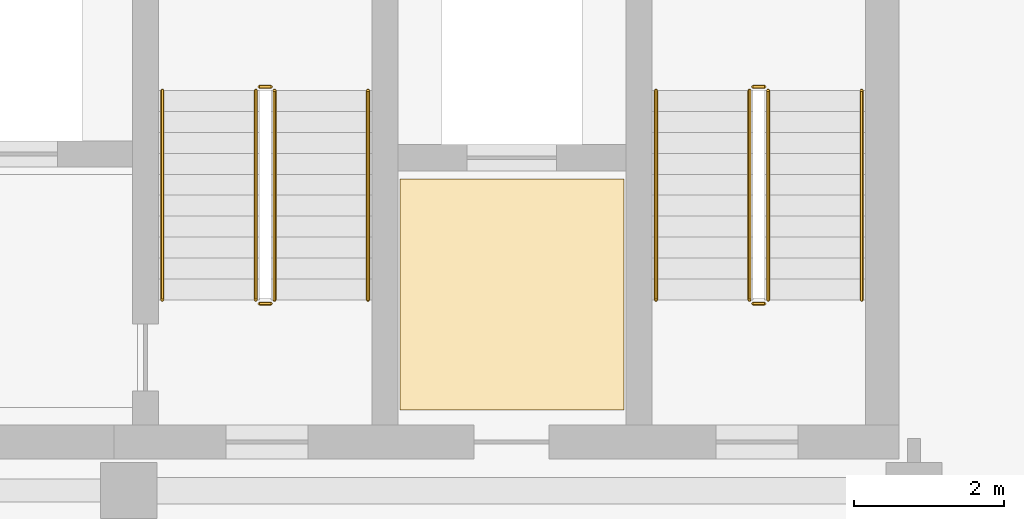
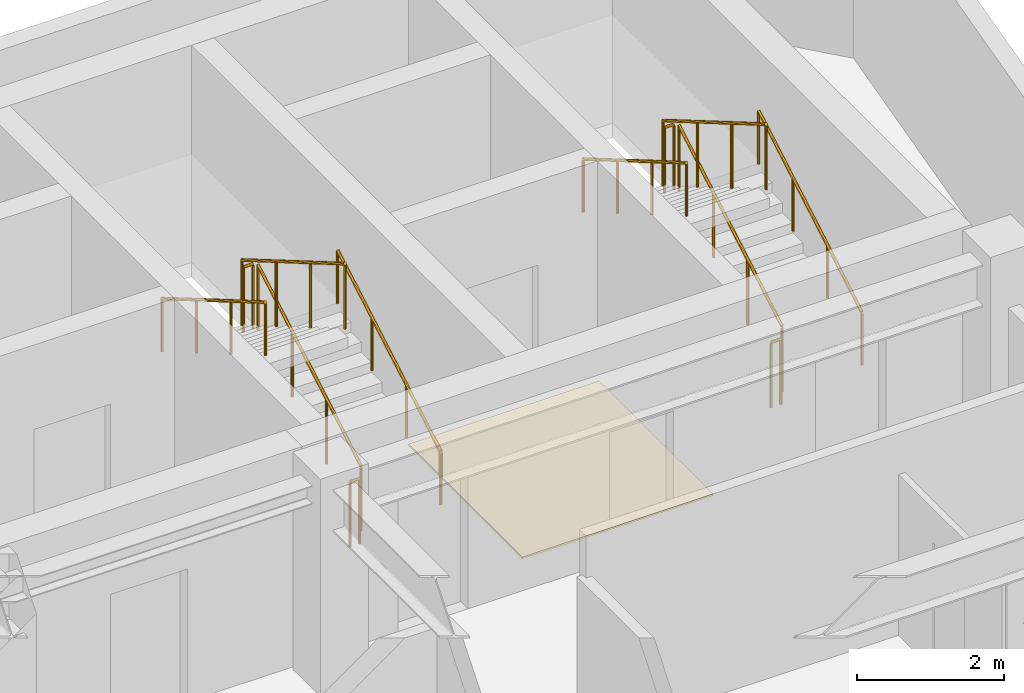
# One storey, part 20 of 20: 12 railings, 1 covering.
"""IFC4 building model written with IfcOpenShell, lengths in metres."""

import ifcopenshell
import ifcopenshell.guid

model = None  # the IFC model being written
_history = None  # IfcOwnerHistory: only IFC2X3 demands one
_inside = {}  # id of a spatial element -> (the spatial element, [elements in it])
_under = {}  # id of a project, library or spatial element -> (it, [spatial elements below it])
_declared = {}  # id of a project -> (the project, [libraries it declares])
_typed = {}  # id of a type object -> (the type object, [elements of that type])
_made_of = {}  # id of a material, layer set ... -> (it, [elements and type objects made of it])


def new_model(schema):
    """Start an empty IFC model of exactly this schema.

    Asked for "IFC4X3", IfcOpenShell would pick the latest addendum, in which some entities
    have other attributes; the version numbers below select the first issue.
    IFC2X3 requires an IfcOwnerHistory on every rooted entity: one is made here for all.
    """
    global model, _history
    if schema == "IFC4X3":
        model = ifcopenshell.file(schema_version=(4, 3, 0, 0))
    else:
        model = ifcopenshell.file(schema=schema)
    _inside.clear()
    _under.clear()
    _declared.clear()
    _typed.clear()
    _made_of.clear()
    _history = None
    if model.schema == "IFC2X3":
        org = make("IfcOrganization", Name="unknown")
        user = make(
            "IfcPersonAndOrganization",
            ThePerson=make("IfcPerson", FamilyName="unknown"),
            TheOrganization=org,
        )
        app = make(
            "IfcApplication",
            ApplicationDeveloper=org,
            Version="unknown",
            ApplicationFullName="unknown",
            ApplicationIdentifier="unknown",
        )
        _history = make(
            "IfcOwnerHistory",
            OwningUser=user,
            OwningApplication=app,
            ChangeAction="ADDED",
            CreationDate=0,
        )
    return model


def make(cls, **values):
    """One entity of the class cls with the attributes given. An attribute that is None is left unset."""
    return model.create_entity(
        cls, **{name: value for name, value in values.items() if value is not None}
    )


def rooted(cls, **values):
    """An entity with a GlobalId (a new one), such as an element, a storey or a relation."""
    return make(cls, GlobalId=ifcopenshell.guid.new(), OwnerHistory=_history, **values)


def si_unit(unit_type, name, prefix=None):
    """IfcSIUnit, for example si_unit("LENGTHUNIT", "METRE", prefix="MILLI")."""
    return make("IfcSIUnit", UnitType=unit_type, Prefix=prefix, Name=name)


def assignment(units):
    """IfcUnitAssignment: the units of a project."""
    return None if units is None else make("IfcUnitAssignment", Units=units)


def point(xyz):
    """IfcCartesianPoint."""
    return None if xyz is None else make("IfcCartesianPoint", Coordinates=xyz)


def direction(xyz):
    """IfcDirection."""
    return None if xyz is None else make("IfcDirection", DirectionRatios=xyz)


def frame(location, z_axis=None, x_axis=None):
    """IfcAxis2Placement3D, a coordinate frame: its origin and axes. An axis left out is left unset."""
    return make(
        "IfcAxis2Placement3D",
        Location=point(location),
        Axis=direction(z_axis),
        RefDirection=direction(x_axis),
    )


def frame_2d(location, x_axis=None):
    """IfcAxis2Placement2D, a coordinate frame in the plane: its origin and x axis."""
    return make(
        "IfcAxis2Placement2D", Location=point(location), RefDirection=direction(x_axis)
    )


def origin():
    """The frame at (0, 0, 0) with its axes left unset."""
    return frame((0.0, 0.0, 0.0))


def origin_2d():
    """The frame at (0, 0) in the plane with its x axis left unset."""
    return frame_2d((0.0, 0.0))


def place(relative_to, where):
    """IfcLocalPlacement: puts the frame where relative to a parent placement (None: the world)."""
    return make(
        "IfcLocalPlacement", PlacementRelTo=relative_to, RelativePlacement=where
    )


def context(
    kind, dimensions, precision=None, world=None, true_north=None, identifier=None
):
    """IfcGeometricRepresentationContext, for example the 3D "Model" context."""
    return make(
        "IfcGeometricRepresentationContext",
        ContextIdentifier=identifier,
        ContextType=kind,
        CoordinateSpaceDimension=dimensions,
        Precision=precision,
        WorldCoordinateSystem=world,
        TrueNorth=true_north,
    )


def subcontext(parent, identifier, kind, view, scale=None):
    """IfcGeometricRepresentationSubContext, for example "Body" below "Model"."""
    return make(
        "IfcGeometricRepresentationSubContext",
        ContextIdentifier=identifier,
        ContextType=kind,
        ParentContext=parent,
        TargetScale=scale,
        TargetView=view,
    )


def project(units=None, contexts=None):
    """IfcProject with its units and contexts."""
    return rooted(
        "IfcProject",
        Name="project",
        RepresentationContexts=contexts,
        UnitsInContext=assignment(units),
    )


def spatial(cls, under=None, at=None, **own):
    """A site, building, storey or space (cls), placed at a placement, below another one or the project."""
    s = rooted(cls, ObjectPlacement=at, **own)
    if under is not None:
        _under.setdefault(under.id(), (under, []))[1].append(s)
    return s


def polyline(points):
    """IfcPolyline through the points."""
    return make("IfcPolyline", Points=[point(p) for p in points])


def profile(cls, at=None, kind="AREA", **sizes):
    """A parametric profile (cls). Its sizes go by their IFC names, for example OverallWidth=200.0."""
    return make(cls, ProfileType=kind, Position=at, **sizes)


def circle(**sizes):
    """IfcCircleProfileDef."""
    return profile("IfcCircleProfileDef", **sizes)


def outline(outer, holes=None, kind="AREA"):
    """IfcArbitraryClosedProfileDef: a profile drawn as a closed curve; with holes, ...WithVoids."""
    if holes is None:
        return make("IfcArbitraryClosedProfileDef", ProfileType=kind, OuterCurve=outer)
    return make(
        "IfcArbitraryProfileDefWithVoids",
        ProfileType=kind,
        OuterCurve=outer,
        InnerCurves=holes,
    )


def extrude(swept, where, along, depth):
    """IfcExtrudedAreaSolid: the profile swept, set in the frame where, extruded along a direction by depth."""
    return make(
        "IfcExtrudedAreaSolid",
        SweptArea=swept,
        Position=where,
        ExtrudedDirection=direction(along),
        Depth=depth,
    )


def shape(context_of_items, identifier, shape_type, items):
    """IfcShapeRepresentation: the items that make up one representation, for example the "Body"."""
    return make(
        "IfcShapeRepresentation",
        ContextOfItems=context_of_items,
        RepresentationIdentifier=identifier,
        RepresentationType=shape_type,
        Items=items,
    )


def material(Name=None, Category=None):
    """IfcMaterial."""
    return make("IfcMaterial", Name=Name, Category=Category)


def layer(
    of_material, thickness, ventilated=None, Name=None, Category=None, Priority=None
):
    """IfcMaterialLayer: one layer of a wall or slab, of a material (None: an air gap)."""
    return make(
        "IfcMaterialLayer",
        Material=of_material,
        LayerThickness=thickness,
        IsVentilated=ventilated,
        Name=Name,
        Category=Category,
        Priority=Priority,
    )


def layer_set(layers, Name=None):
    """IfcMaterialLayerSet."""
    return make("IfcMaterialLayerSet", MaterialLayers=layers, LayerSetName=Name)


def made_of(thing, what):
    """Note that an element or type object is made of a material, layer set ...; save() writes the relation."""
    if what is not None:
        _made_of.setdefault(what.id(), (what, []))[1].append(thing)
    return thing


def type_object(cls, material=None, **own):
    """A type object (cls), such as IfcWallType, which elements share."""
    return made_of(rooted(cls, **own), material)


def element(
    cls,
    number,
    at=None,
    inside=None,
    cuts=None,
    type_object=None,
    material=None,
    context=None,
    identifier="Body",
    shape_type=None,
    held_by="IfcProductDefinitionShape",
    body=None,
    shapes=None,
    **own,
):
    """One element of the class cls, such as IfcWall. Its Tag is "e" and its number.

    at: its placement. inside: the storey or other place that contains it. cuts: it is an
    opening in that element (IfcRelVoidsElement). A single representation is given by context,
    identifier, shape_type and body (its items); several are given by shapes. held_by: the class
    of the entity that holds the representations. save() writes the other relations.
    """
    e = rooted(cls, Tag="e%d" % number, ObjectPlacement=at, **own)
    if body is not None:
        shapes = [shape(context, identifier, shape_type, body)]
    if shapes is not None:
        e.Representation = make(held_by, Representations=shapes)
    if inside is not None:
        _inside.setdefault(inside.id(), (inside, []))[1].append(e)
    if cuts is not None:
        rooted(
            "IfcRelVoidsElement", RelatingBuildingElement=cuts, RelatedOpeningElement=e
        )
    if type_object is not None:
        _typed.setdefault(type_object.id(), (type_object, []))[1].append(e)
    return made_of(e, material)


def aggregate(whole, parts):
    """IfcRelAggregates: a whole, such as a stair, and the parts it consists of."""
    return rooted("IfcRelAggregates", RelatingObject=whole, RelatedObjects=parts)


def save(model, path):
    """Write the relations noted so far, then the file.

    IfcRelAggregates (storeys below a building ...), IfcRelContainedInSpatialStructure (elements
    in a storey), IfcRelDefinesByType, IfcRelAssociatesMaterial and IfcRelDeclares: one each for
    every whole, place, type object, material and project.
    """
    for whole, parts in _under.values():
        aggregate(whole, parts)
    for where, things in _inside.values():
        rooted(
            "IfcRelContainedInSpatialStructure",
            RelatedElements=things,
            RelatingStructure=where,
        )
    for kind, things in _typed.values():
        rooted("IfcRelDefinesByType", RelatedObjects=things, RelatingType=kind)
    for what, things in _made_of.values():
        rooted("IfcRelAssociatesMaterial", RelatedObjects=things, RelatingMaterial=what)
    for by, libraries in _declared.values():
        rooted("IfcRelDeclares", RelatingContext=by, RelatedDefinitions=libraries)
    model.write(path)


model = new_model("IFC4")

# Units and contexts
model_context = context("Model", 3, precision=1e-05, world=origin(), true_north=direction((0.0, 1.0)))
body_context = subcontext(model_context, "Body", "Model", "MODEL_VIEW")
ifc_project = project(units=[si_unit("LENGTHUNIT", "METRE"), si_unit("AREAUNIT", "SQUARE_METRE"), si_unit("VOLUMEUNIT", "CUBIC_METRE"), si_unit("PLANEANGLEUNIT", "RADIAN"), si_unit("MASSUNIT", "GRAM", prefix="KILO")], contexts=[model_context])

# Site, building, storey
site_placement = place(None, origin())
site = spatial("IfcSite", under=ifc_project, at=site_placement, CompositionType="ELEMENT")
building_placement = place(site_placement, origin())
building = spatial("IfcBuilding", under=site, at=building_placement, Name="Kravanh Interchange Tower", CompositionType="ELEMENT")
storey_placement = place(building_placement, frame((0.0, 0.0, 245.39990234375)))
storey = spatial("IfcBuildingStorey", under=building, at=storey_placement, Name="L59", CompositionType="ELEMENT", Elevation=245.39990234375)

# Covering
ifc_material_1 = material(Name="Cementitious Terrazzo Tile")
ifc_layer_1 = layer(ifc_material_1, 0.030029296875)
ifc_layer_set_1 = layer_set([ifc_layer_1], Name="Honed Terrazzo Lobby Flooring 30mm")
covering_type = type_object("IfcCoveringType", Name="Honed Terrazzo Lobby Flooring 30mm", PredefinedType="FLOORING", material=ifc_layer_set_1)
covering_placement = place(storey_placement, origin())
element("IfcCovering", 1, at=covering_placement, inside=storey, type_object=covering_type, Name="L59 Service Lift Lobby Floor Finish", PredefinedType="FLOORING", context=body_context, shape_type="SweptSolid", body=[
    extrude(outline(polyline([(59.6298828125, 41.52001953125), (62.6201171875, 41.52001953125), (62.6201171875, 38.429931640625), (59.6298828125, 38.429931640625), (59.6298828125, 41.52001953125)])), origin(), (0.0, 0.0, 1.0), 0.030029296875),
])

# Railings
ifc_material_2 = material(Name="Structural Steel S355", Category="steel")
ifc_layer_2 = layer(ifc_material_2, 0.050048828125)
ifc_layer_set_2 = layer_set([ifc_layer_2], Name="Stair Well Guardrail Structural Steel S355 1100mm")
railing_type_1 = type_object("IfcRailingType", Name="Stair Well Guardrail Structural Steel S355 1100mm", PredefinedType="GUARDRAIL", material=ifc_layer_set_2)
railing_1_placement = place(storey_placement, frame((64.550048828125, 39.89990234375, 0.163818359375)))
element("IfcRailing", 2, at=railing_1_placement, inside=storey, type_object=railing_type_1, Name="L59 ST1 stair guard 1", PredefinedType="GUARDRAIL", context=body_context, shape_type="SweptSolid", body=[
    extrude(circle(Radius=0.02392578125, at=origin_2d()), frame((0.0, 0.0, 1.076171875), z_axis=(0.0, 0.863393664356, 0.504530851732), x_axis=(-1.0, 0.0, 0.0)), (0.0, 0.0, 1.0), 3.2431640625),
    extrude(circle(Radius=0.02099609375, at=origin_2d()), origin(), (0.0, 0.0, 1.0), 1.052001953125),
    extrude(circle(Radius=0.02099609375, at=origin_2d()), frame((0.0, 0.933349609375, 0.54541015625)), (0.0, 0.0, 1.0), 1.052001953125),
    extrude(circle(Radius=0.02099609375, at=origin_2d()), frame((0.0, 1.86669921875, 1.0908203125)), (0.0, 0.0, 1.0), 1.052001953125),
    extrude(circle(Radius=0.02099609375, at=origin_2d()), frame((0.0, 2.800048828125, 1.63623046875)), (0.0, 0.0, 1.0), 1.052001953125),
])
railing_2_placement = place(storey_placement, frame((64.5, 42.75, 1.800048828125)))
element("IfcRailing", 3, at=railing_2_placement, inside=storey, type_object=railing_type_1, Name="L59 ST1 stair guard 2", PredefinedType="GUARDRAIL", context=body_context, shape_type="SweptSolid", body=[
    extrude(circle(Radius=0.02392578125, at=origin_2d()), frame((0.0, 0.0, 1.076171875), z_axis=(-1.0, 0.0, 0.0), x_axis=(0.0, -1.0, 0.0)), (0.0, 0.0, 1.0), 0.14990234375),
    extrude(circle(Radius=0.02099609375, at=origin_2d()), origin(), (0.0, 0.0, 1.0), 1.052001953125),
    extrude(circle(Radius=0.02099609375, at=origin_2d()), frame((-0.14990234375, 0.0, 0.0)), (0.0, 0.0, 1.0), 1.052001953125),
])
railing_3_placement = place(storey_placement, frame((64.300048828125, 42.699951171875, 1.963623046875)))
element("IfcRailing", 4, at=railing_3_placement, inside=storey, type_object=railing_type_1, Name="L59 ST1 stair guard 3", PredefinedType="GUARDRAIL", context=body_context, shape_type="SweptSolid", body=[
    extrude(circle(Radius=0.02392578125, at=origin_2d()), frame((0.0, 0.0, 1.076171875), z_axis=(0.0, -0.863360870873, 0.504586966384), x_axis=(1.0, 0.0, 0.0)), (0.0, 0.0, 1.0), 3.2431640625),
    extrude(circle(Radius=0.02099609375, at=origin_2d()), origin(), (0.0, 0.0, 1.0), 1.052001953125),
    extrude(circle(Radius=0.02099609375, at=origin_2d()), frame((0.0, -0.933349609375, 0.54541015625)), (0.0, 0.0, 1.0), 1.052001953125),
    extrude(circle(Radius=0.02099609375, at=origin_2d()), frame((0.0, -1.86669921875, 1.091064453125)), (0.0, 0.0, 1.0), 1.052001953125),
    extrude(circle(Radius=0.02099609375, at=origin_2d()), frame((0.0, -2.800048828125, 1.636474609375)), (0.0, 0.0, 1.0), 1.052001953125),
])
railing_4_placement = place(storey_placement, frame((64.5, 39.85009765625, 0.0)))
element("IfcRailing", 5, at=railing_4_placement, inside=storey, type_object=railing_type_1, Name="L59 ST1 stair guard 4", PredefinedType="GUARDRAIL", context=body_context, shape_type="SweptSolid", body=[
    extrude(circle(Radius=0.02392578125, at=origin_2d()), frame((0.0, 0.0, 1.076171875), z_axis=(-1.0, 0.0, 0.0), x_axis=(0.0, -1.0, 0.0)), (0.0, 0.0, 1.0), 0.14990234375),
    extrude(circle(Radius=0.02099609375, at=origin_2d()), origin(), (0.0, 0.0, 1.0), 1.052001953125),
    extrude(circle(Radius=0.02099609375, at=origin_2d()), frame((-0.14990234375, 0.0, 0.0)), (0.0, 0.0, 1.0), 1.052001953125),
])
railing_5_placement = place(storey_placement, frame((57.949951171875, 39.89990234375, 0.163818359375)))
element("IfcRailing", 6, at=railing_5_placement, inside=storey, type_object=railing_type_1, Name="L59 ST2 stair guard 1", PredefinedType="GUARDRAIL", context=body_context, shape_type="SweptSolid", body=[
    extrude(circle(Radius=0.02392578125, at=origin_2d()), frame((0.0, 0.0, 1.076171875), z_axis=(0.0, 0.863393664356, 0.504530851732), x_axis=(-1.0, 0.0, 0.0)), (0.0, 0.0, 1.0), 3.2431640625),
    extrude(circle(Radius=0.02099609375, at=origin_2d()), origin(), (0.0, 0.0, 1.0), 1.052001953125),
    extrude(circle(Radius=0.02099609375, at=origin_2d()), frame((0.0, 0.933349609375, 0.54541015625)), (0.0, 0.0, 1.0), 1.052001953125),
    extrude(circle(Radius=0.02099609375, at=origin_2d()), frame((0.0, 1.86669921875, 1.0908203125)), (0.0, 0.0, 1.0), 1.052001953125),
    extrude(circle(Radius=0.02099609375, at=origin_2d()), frame((0.0, 2.800048828125, 1.63623046875)), (0.0, 0.0, 1.0), 1.052001953125),
])
railing_6_placement = place(storey_placement, frame((57.89990234375, 42.75, 1.800048828125)))
element("IfcRailing", 7, at=railing_6_placement, inside=storey, type_object=railing_type_1, Name="L59 ST2 stair guard 2", PredefinedType="GUARDRAIL", context=body_context, shape_type="SweptSolid", body=[
    extrude(circle(Radius=0.02392578125, at=origin_2d()), frame((0.0, 0.0, 1.076171875), z_axis=(-1.0, 0.0, 0.0), x_axis=(0.0, -1.0, 0.0)), (0.0, 0.0, 1.0), 0.14990234375),
    extrude(circle(Radius=0.02099609375, at=origin_2d()), origin(), (0.0, 0.0, 1.0), 1.052001953125),
    extrude(circle(Radius=0.02099609375, at=origin_2d()), frame((-0.14990234375, 0.0, 0.0)), (0.0, 0.0, 1.0), 1.052001953125),
])
railing_7_placement = place(storey_placement, frame((57.699951171875, 42.699951171875, 1.963623046875)))
element("IfcRailing", 8, at=railing_7_placement, inside=storey, type_object=railing_type_1, Name="L59 ST2 stair guard 3", PredefinedType="GUARDRAIL", context=body_context, shape_type="SweptSolid", body=[
    extrude(circle(Radius=0.02392578125, at=origin_2d()), frame((0.0, 0.0, 1.076171875), z_axis=(0.0, -0.863360870873, 0.504586966384), x_axis=(1.0, 0.0, 0.0)), (0.0, 0.0, 1.0), 3.2431640625),
    extrude(circle(Radius=0.02099609375, at=origin_2d()), origin(), (0.0, 0.0, 1.0), 1.052001953125),
    extrude(circle(Radius=0.02099609375, at=origin_2d()), frame((0.0, -0.933349609375, 0.54541015625)), (0.0, 0.0, 1.0), 1.052001953125),
    extrude(circle(Radius=0.02099609375, at=origin_2d()), frame((0.0, -1.86669921875, 1.091064453125)), (0.0, 0.0, 1.0), 1.052001953125),
    extrude(circle(Radius=0.02099609375, at=origin_2d()), frame((0.0, -2.800048828125, 1.636474609375)), (0.0, 0.0, 1.0), 1.052001953125),
])
railing_8_placement = place(storey_placement, frame((57.89990234375, 39.85009765625, 0.0)))
element("IfcRailing", 9, at=railing_8_placement, inside=storey, type_object=railing_type_1, Name="L59 ST2 stair guard 4", PredefinedType="GUARDRAIL", context=body_context, shape_type="SweptSolid", body=[
    extrude(circle(Radius=0.02392578125, at=origin_2d()), frame((0.0, 0.0, 1.076171875), z_axis=(-1.0, 0.0, 0.0), x_axis=(0.0, -1.0, 0.0)), (0.0, 0.0, 1.0), 0.14990234375),
    extrude(circle(Radius=0.02099609375, at=origin_2d()), origin(), (0.0, 0.0, 1.0), 1.052001953125),
    extrude(circle(Radius=0.02099609375, at=origin_2d()), frame((-0.14990234375, 0.0, 0.0)), (0.0, 0.0, 1.0), 1.052001953125),
])
ifc_material_3 = material(Name="Stainless Steel 304", Category="steel")
ifc_layer_3 = layer(ifc_material_3, 0.044921875)
ifc_layer_set_3 = layer_set([ifc_layer_3], Name="Tubular Stair Handrail Stainless 304 900mm")
railing_type_2 = type_object("IfcRailingType", Name="Tubular Stair Handrail Stainless 304 900mm", PredefinedType="HANDRAIL", material=ifc_layer_set_3)
railing_9_placement = place(storey_placement, frame((65.800048828125, 39.89990234375, 0.163818359375)))
element("IfcRailing", 10, at=railing_9_placement, inside=storey, type_object=railing_type_2, Name="L59 ST1 stair handrail 1", PredefinedType="HANDRAIL", context=body_context, shape_type="SweptSolid", body=[
    extrude(circle(Radius=0.02392578125, at=origin_2d()), frame((0.0, 0.0, 0.8759765625), z_axis=(0.0, 0.863393664356, 0.504530851732), x_axis=(-1.0, 0.0, 0.0)), (0.0, 0.0, 1.0), 3.2431640625),
    extrude(circle(Radius=0.02099609375, at=origin_2d()), origin(), (0.0, 0.0, 1.0), 0.851806640625),
    extrude(circle(Radius=0.02099609375, at=origin_2d()), frame((0.0, 0.933349609375, 0.54541015625)), (0.0, 0.0, 1.0), 0.851806640625),
    extrude(circle(Radius=0.02099609375, at=origin_2d()), frame((0.0, 1.86669921875, 1.0908203125)), (0.0, 0.0, 1.0), 0.851806640625),
    extrude(circle(Radius=0.02099609375, at=origin_2d()), frame((0.0, 2.800048828125, 1.63623046875)), (0.0, 0.0, 1.0), 0.851806640625),
])
railing_10_placement = place(storey_placement, frame((63.050048828125, 42.699951171875, 1.963623046875)))
element("IfcRailing", 11, at=railing_10_placement, inside=storey, type_object=railing_type_2, Name="L59 ST1 stair handrail 2", PredefinedType="HANDRAIL", context=body_context, shape_type="SweptSolid", body=[
    extrude(circle(Radius=0.02392578125, at=origin_2d()), frame((0.0, 0.0, 0.8759765625), z_axis=(0.0, -0.863360870873, 0.504586966384), x_axis=(1.0, 0.0, 0.0)), (0.0, 0.0, 1.0), 3.2431640625),
    extrude(circle(Radius=0.02099609375, at=origin_2d()), origin(), (0.0, 0.0, 1.0), 0.851806640625),
    extrude(circle(Radius=0.02099609375, at=origin_2d()), frame((0.0, -0.933349609375, 0.54541015625)), (0.0, 0.0, 1.0), 0.851806640625),
    extrude(circle(Radius=0.02099609375, at=origin_2d()), frame((0.0, -1.86669921875, 1.091064453125)), (0.0, 0.0, 1.0), 0.851806640625),
    extrude(circle(Radius=0.02099609375, at=origin_2d()), frame((0.0, -2.800048828125, 1.636474609375)), (0.0, 0.0, 1.0), 0.851806640625),
])
railing_11_placement = place(storey_placement, frame((59.199951171875, 39.89990234375, 0.163818359375)))
element("IfcRailing", 12, at=railing_11_placement, inside=storey, type_object=railing_type_2, Name="L59 ST2 stair handrail 1", PredefinedType="HANDRAIL", context=body_context, shape_type="SweptSolid", body=[
    extrude(circle(Radius=0.02392578125, at=origin_2d()), frame((0.0, 0.0, 0.8759765625), z_axis=(0.0, 0.863393664356, 0.504530851732), x_axis=(-1.0, 0.0, 0.0)), (0.0, 0.0, 1.0), 3.2431640625),
    extrude(circle(Radius=0.02099609375, at=origin_2d()), origin(), (0.0, 0.0, 1.0), 0.851806640625),
    extrude(circle(Radius=0.02099609375, at=origin_2d()), frame((0.0, 0.933349609375, 0.54541015625)), (0.0, 0.0, 1.0), 0.851806640625),
    extrude(circle(Radius=0.02099609375, at=origin_2d()), frame((0.0, 1.86669921875, 1.0908203125)), (0.0, 0.0, 1.0), 0.851806640625),
    extrude(circle(Radius=0.02099609375, at=origin_2d()), frame((0.0, 2.800048828125, 1.63623046875)), (0.0, 0.0, 1.0), 0.851806640625),
])
railing_12_placement = place(storey_placement, frame((56.449951171875, 42.699951171875, 1.963623046875)))
element("IfcRailing", 13, at=railing_12_placement, inside=storey, type_object=railing_type_2, Name="L59 ST2 stair handrail 2", PredefinedType="HANDRAIL", context=body_context, shape_type="SweptSolid", body=[
    extrude(circle(Radius=0.02392578125, at=origin_2d()), frame((0.0, 0.0, 0.8759765625), z_axis=(0.0, -0.863360870873, 0.504586966384), x_axis=(1.0, 0.0, 0.0)), (0.0, 0.0, 1.0), 3.2431640625),
    extrude(circle(Radius=0.02099609375, at=origin_2d()), origin(), (0.0, 0.0, 1.0), 0.851806640625),
    extrude(circle(Radius=0.02099609375, at=origin_2d()), frame((0.0, -0.933349609375, 0.54541015625)), (0.0, 0.0, 1.0), 0.851806640625),
    extrude(circle(Radius=0.02099609375, at=origin_2d()), frame((0.0, -1.86669921875, 1.091064453125)), (0.0, 0.0, 1.0), 0.851806640625),
    extrude(circle(Radius=0.02099609375, at=origin_2d()), frame((0.0, -2.800048828125, 1.636474609375)), (0.0, 0.0, 1.0), 0.851806640625),
])

save(model, "model.ifc")
